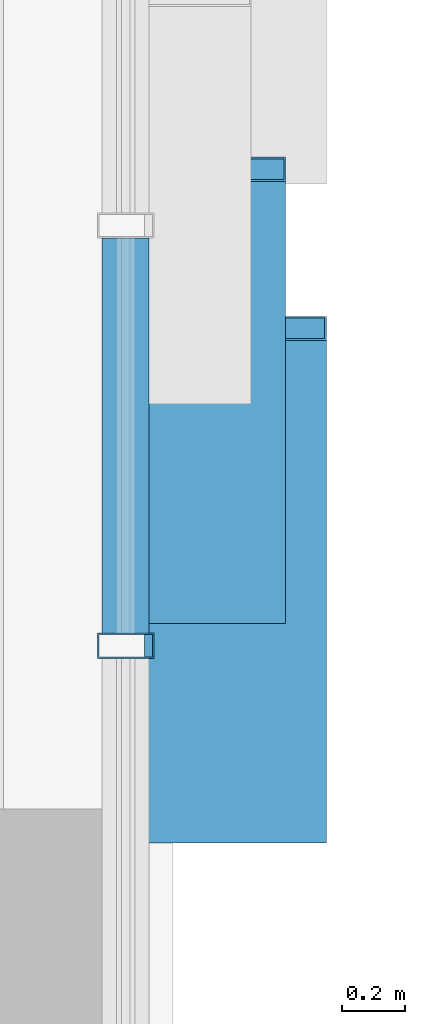
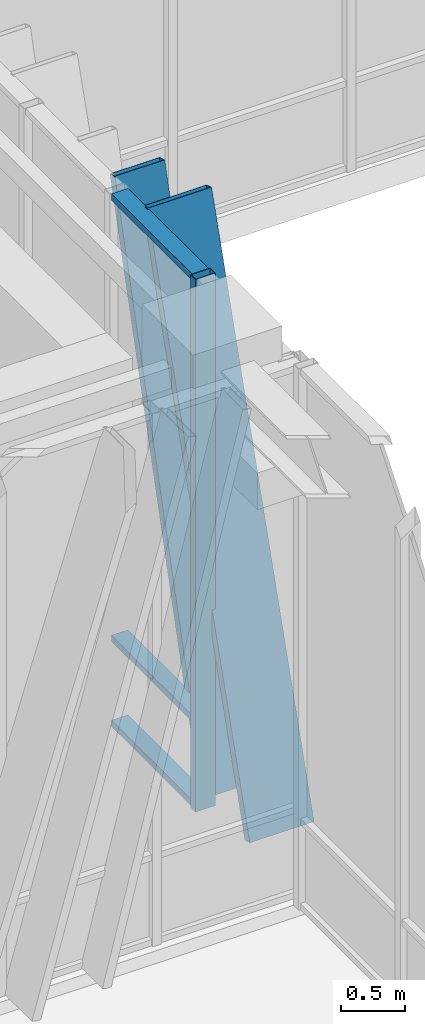
# One storey, part 30 of 139: 6 members, 1 element without a shape of its own.
"""IFC4 building model written with IfcOpenShell, lengths in metres."""

from ifc_helpers import new_model, si_unit, direction, frame, origin, origin_2d, place, context, subcontext, project, spatial, hollow_rectangle, extrude, material, layer, layer_set, material_profile, profile_set, type_object, element, aggregate, save


model = new_model("IFC4")

# Units and contexts
model_context = context("Model", 3, precision=1e-05, world=origin(), true_north=direction((0.0, 1.0)))
body_context = subcontext(model_context, "Body", "Model", "MODEL_VIEW")
ifc_project = project(units=[si_unit("LENGTHUNIT", "METRE"), si_unit("AREAUNIT", "SQUARE_METRE"), si_unit("VOLUMEUNIT", "CUBIC_METRE"), si_unit("PLANEANGLEUNIT", "RADIAN"), si_unit("MASSUNIT", "GRAM", prefix="KILO")], contexts=[model_context])

# Site, building, storey
site_placement = place(None, origin())
site = spatial("IfcSite", under=ifc_project, at=site_placement, CompositionType="ELEMENT")
building_placement = place(site_placement, origin())
building = spatial("IfcBuilding", under=site, at=building_placement, Name="Zayran Congress Hotel", CompositionType="ELEMENT")
storey_placement = place(building_placement, frame((0.0, 0.0, 5.39990234375)))
storey = spatial("IfcBuildingStorey", under=building, at=storey_placement, Name="L01", CompositionType="ELEMENT", Elevation=5.39990234375)

# Curtain wall, members
ifc_material_1 = material(Name="Anodised aluminium and low-E insulated glass", Category="aluminium")
ifc_layer = layer(ifc_material_1, 0.179931640625)
ifc_layer_set = layer_set([ifc_layer], Name="Anodised aluminium and low-E insulated glass")
curtain_wall_type = type_object("IfcCurtainWallType", Name="CW-V1E-L01-CW-41-8040-5080", PredefinedType="USERDEFINED", material=ifc_layer_set)
curtain_wall_placement = place(storey_placement, origin())
curtain_wall = element("IfcCurtainWall", 1, at=curtain_wall_placement, inside=storey, type_object=curtain_wall_type, Name="CW-V1E-L01-0", ObjectType="CURTAIN WALL", PredefinedType="USERDEFINED")
ifc_material_2 = material(Name="Anodised aluminium framing", Category="aluminium")
ifc_material_profile_1 = material_profile(ifc_material_2, hollow_rectangle(XDim=0.080078125, YDim=0.179931640625, WallThickness=0.0048828125, at=origin_2d()), Name="RHS 180x80x5")
ifc_profile_set_1 = profile_set([ifc_material_profile_1], Name="Anodised aluminium framing")
member_type_1 = type_object("IfcMemberType", Name="TP-CWM-01", PredefinedType="MULLION", material=ifc_profile_set_1)
member_1_placement = place(storey_placement, frame((92.25, 69.1201171875, 0.0), z_axis=(0.0, 0.0, 1.0), x_axis=(0.0, 1.0, 0.0)))
member_1 = element("IfcMember", 2, at=member_1_placement, type_object=member_type_1, Name="CW-V1E-L01-0-M01", PredefinedType="MULLION", context=body_context, shape_type="SweptSolid", body=[
    extrude(hollow_rectangle(XDim=0.080078125, YDim=0.179931640625, WallThickness=0.0048828125, at=origin_2d()), origin(), (0.0, 0.0, 1.0), 5.080078125),
])
ifc_material_profile_2 = material_profile(ifc_material_2, hollow_rectangle(XDim=0.06005859375, YDim=0.14990234375, WallThickness=0.00390625, at=origin_2d()), Name="RHS 150x60x4")
ifc_profile_set_2 = profile_set([ifc_material_profile_2], Name="Anodised aluminium framing")
member_type_2 = type_object("IfcMemberType", Name="TP-CWT-01", PredefinedType="USERDEFINED", material=ifc_profile_set_2)
member_2_placement = place(storey_placement, frame((92.25, 69.159912109375, 0.030029296875), z_axis=(0.0, 1.0, 0.0), x_axis=(0.0, 0.0, 1.0)))
member_2 = element("IfcMember", 3, at=member_2_placement, type_object=member_type_2, Name="CW-V1E-L01-0-T01-0", ObjectType="TRANSOM", PredefinedType="USERDEFINED", context=body_context, shape_type="SweptSolid", body=[
    extrude(hollow_rectangle(XDim=0.06005859375, YDim=0.14990234375, WallThickness=0.00390625, at=origin_2d()), origin(), (0.0, 0.0, 1.0), 1.260009765625),
])
member_3_placement = place(storey_placement, frame((92.25, 69.159912109375, 0.840087890625), z_axis=(0.0, 1.0, 0.0), x_axis=(0.0, 0.0, 1.0)))
member_3 = element("IfcMember", 4, at=member_3_placement, type_object=member_type_2, Name="CW-V1E-L01-0-T01-1", ObjectType="TRANSOM", PredefinedType="USERDEFINED", context=body_context, shape_type="SweptSolid", body=[
    extrude(hollow_rectangle(XDim=0.06005859375, YDim=0.14990234375, WallThickness=0.00390625, at=origin_2d()), origin(), (0.0, 0.0, 1.0), 1.260009765625),
])
member_4_placement = place(storey_placement, frame((92.25, 69.159912109375, 5.050048828125), z_axis=(0.0, 1.0, 0.0), x_axis=(0.0, 0.0, 1.0)))
member_4 = element("IfcMember", 5, at=member_4_placement, type_object=member_type_2, Name="CW-V1E-L01-0-T01-2", ObjectType="TRANSOM", PredefinedType="USERDEFINED", context=body_context, shape_type="SweptSolid", body=[
    extrude(hollow_rectangle(XDim=0.06005859375, YDim=0.14990234375, WallThickness=0.00390625, at=origin_2d()), origin(), (0.0, 0.0, 1.0), 1.260009765625),
])
ifc_material_3 = material(Name="Warm bronze anodised aluminium", Category="aluminium")
ifc_material_profile_3 = material_profile(ifc_material_3, hollow_rectangle(XDim=0.080078125, YDim=0.580078125, WallThickness=0.006103515625, at=origin_2d()), Name="RHS 580x80x6")
ifc_profile_set_3 = profile_set([ifc_material_profile_3], Name="Warm bronze anodised aluminium")
member_type_3 = type_object("IfcMemberType", Name="TP-RFN-01", PredefinedType="MULLION", material=ifc_profile_set_3)
member_5_placement = place(storey_placement, frame((92.60009765625, 68.530029296875, 0.0), z_axis=(0.0, 0.300675065474, 0.953726640606), x_axis=(0.0, -0.953726640606, 0.300675065474)))
member_5 = element("IfcMember", 6, at=member_5_placement, type_object=member_type_3, Name="Slanting Reed Mullion CW-41-01", PredefinedType="MULLION", context=body_context, shape_type="SweptSolid", body=[
    extrude(hollow_rectangle(XDim=0.080078125, YDim=0.580078125, WallThickness=0.006103515625, at=origin_2d()), origin(), (0.0, 0.0, 1.0), 5.32666015625),
])
ifc_material_profile_4 = material_profile(ifc_material_3, hollow_rectangle(XDim=0.080078125, YDim=0.449951171875, WallThickness=0.006103515625, at=origin_2d()), Name="RHS 450x80x6")
ifc_profile_set_4 = profile_set([ifc_material_profile_4], Name="Warm bronze anodised aluminium")
member_type_4 = type_object("IfcMemberType", Name="TP-RFN-02", PredefinedType="MULLION", material=ifc_profile_set_4)
member_6_placement = place(storey_placement, frame((92.534912109375, 69.22998046875, 0.0), z_axis=(0.0, 0.267256905477, 0.96362531436), x_axis=(0.0, -0.96362531436, 0.267256905477)))
member_6 = element("IfcMember", 7, at=member_6_placement, type_object=member_type_4, Name="Slanting Reed Mullion CW-41-02", PredefinedType="MULLION", context=body_context, shape_type="SweptSolid", body=[
    extrude(hollow_rectangle(XDim=0.080078125, YDim=0.449951171875, WallThickness=0.006103515625, at=origin_2d()), origin(), (0.0, 0.0, 1.0), 5.271728515625),
])
aggregate(curtain_wall, [member_1, member_2, member_3, member_4, member_5, member_6])

save(model, "model.ifc")
